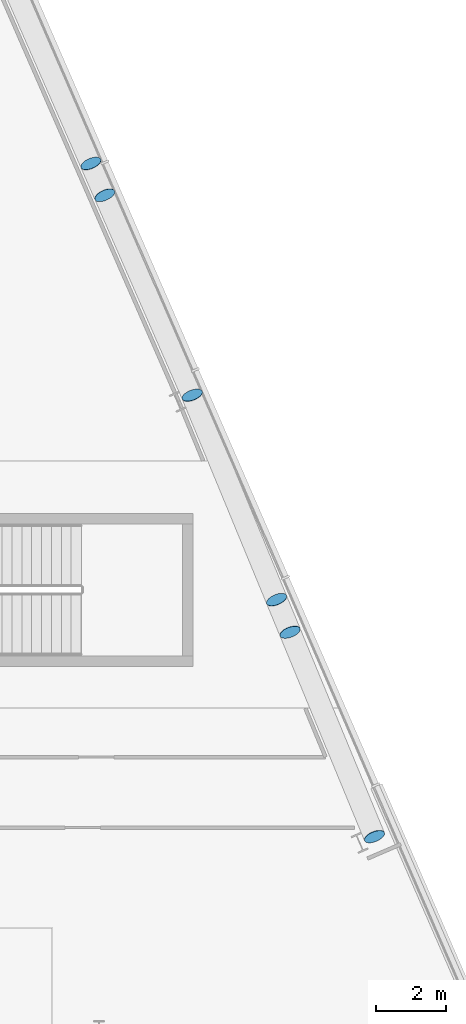
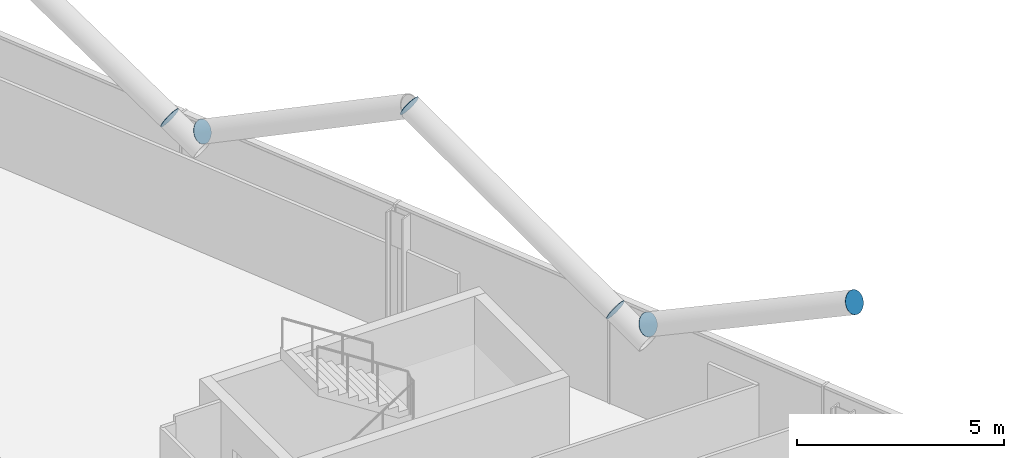
# One storey, part 23 of 27: 6 discrete accessories.
"""IFC4 building model written with IfcOpenShell, lengths in metres."""

import ifcopenshell
import ifcopenshell.guid

model = None  # the IFC model being written
_history = None  # IfcOwnerHistory: only IFC2X3 demands one
_inside = {}  # id of a spatial element -> (the spatial element, [elements in it])
_under = {}  # id of a project, library or spatial element -> (it, [spatial elements below it])
_declared = {}  # id of a project -> (the project, [libraries it declares])
_typed = {}  # id of a type object -> (the type object, [elements of that type])
_made_of = {}  # id of a material, layer set ... -> (it, [elements and type objects made of it])


def new_model(schema):
    """Start an empty IFC model of exactly this schema.

    Asked for "IFC4X3", IfcOpenShell would pick the latest addendum, in which some entities
    have other attributes; the version numbers below select the first issue.
    IFC2X3 requires an IfcOwnerHistory on every rooted entity: one is made here for all.
    """
    global model, _history
    if schema == "IFC4X3":
        model = ifcopenshell.file(schema_version=(4, 3, 0, 0))
    else:
        model = ifcopenshell.file(schema=schema)
    _inside.clear()
    _under.clear()
    _declared.clear()
    _typed.clear()
    _made_of.clear()
    _history = None
    if model.schema == "IFC2X3":
        org = make("IfcOrganization", Name="unknown")
        user = make(
            "IfcPersonAndOrganization",
            ThePerson=make("IfcPerson", FamilyName="unknown"),
            TheOrganization=org,
        )
        app = make(
            "IfcApplication",
            ApplicationDeveloper=org,
            Version="unknown",
            ApplicationFullName="unknown",
            ApplicationIdentifier="unknown",
        )
        _history = make(
            "IfcOwnerHistory",
            OwningUser=user,
            OwningApplication=app,
            ChangeAction="ADDED",
            CreationDate=0,
        )
    return model


def make(cls, **values):
    """One entity of the class cls with the attributes given. An attribute that is None is left unset."""
    return model.create_entity(
        cls, **{name: value for name, value in values.items() if value is not None}
    )


def rooted(cls, **values):
    """An entity with a GlobalId (a new one), such as an element, a storey or a relation."""
    return make(cls, GlobalId=ifcopenshell.guid.new(), OwnerHistory=_history, **values)


def si_unit(unit_type, name, prefix=None):
    """IfcSIUnit, for example si_unit("LENGTHUNIT", "METRE", prefix="MILLI")."""
    return make("IfcSIUnit", UnitType=unit_type, Prefix=prefix, Name=name)


def assignment(units):
    """IfcUnitAssignment: the units of a project."""
    return None if units is None else make("IfcUnitAssignment", Units=units)


def point(xyz):
    """IfcCartesianPoint."""
    return None if xyz is None else make("IfcCartesianPoint", Coordinates=xyz)


def direction(xyz):
    """IfcDirection."""
    return None if xyz is None else make("IfcDirection", DirectionRatios=xyz)


def frame(location, z_axis=None, x_axis=None):
    """IfcAxis2Placement3D, a coordinate frame: its origin and axes. An axis left out is left unset."""
    return make(
        "IfcAxis2Placement3D",
        Location=point(location),
        Axis=direction(z_axis),
        RefDirection=direction(x_axis),
    )


def frame_2d(location, x_axis=None):
    """IfcAxis2Placement2D, a coordinate frame in the plane: its origin and x axis."""
    return make(
        "IfcAxis2Placement2D", Location=point(location), RefDirection=direction(x_axis)
    )


def origin():
    """The frame at (0, 0, 0) with its axes left unset."""
    return frame((0.0, 0.0, 0.0))


def origin_2d():
    """The frame at (0, 0) in the plane with its x axis left unset."""
    return frame_2d((0.0, 0.0))


def place(relative_to, where):
    """IfcLocalPlacement: puts the frame where relative to a parent placement (None: the world)."""
    return make(
        "IfcLocalPlacement", PlacementRelTo=relative_to, RelativePlacement=where
    )


def context(
    kind, dimensions, precision=None, world=None, true_north=None, identifier=None
):
    """IfcGeometricRepresentationContext, for example the 3D "Model" context."""
    return make(
        "IfcGeometricRepresentationContext",
        ContextIdentifier=identifier,
        ContextType=kind,
        CoordinateSpaceDimension=dimensions,
        Precision=precision,
        WorldCoordinateSystem=world,
        TrueNorth=true_north,
    )


def subcontext(parent, identifier, kind, view, scale=None):
    """IfcGeometricRepresentationSubContext, for example "Body" below "Model"."""
    return make(
        "IfcGeometricRepresentationSubContext",
        ContextIdentifier=identifier,
        ContextType=kind,
        ParentContext=parent,
        TargetScale=scale,
        TargetView=view,
    )


def project(units=None, contexts=None):
    """IfcProject with its units and contexts."""
    return rooted(
        "IfcProject",
        Name="project",
        RepresentationContexts=contexts,
        UnitsInContext=assignment(units),
    )


def spatial(cls, under=None, at=None, **own):
    """A site, building, storey or space (cls), placed at a placement, below another one or the project."""
    s = rooted(cls, ObjectPlacement=at, **own)
    if under is not None:
        _under.setdefault(under.id(), (under, []))[1].append(s)
    return s


def profile(cls, at=None, kind="AREA", **sizes):
    """A parametric profile (cls). Its sizes go by their IFC names, for example OverallWidth=200.0."""
    return make(cls, ProfileType=kind, Position=at, **sizes)


def circle(**sizes):
    """IfcCircleProfileDef."""
    return profile("IfcCircleProfileDef", **sizes)


def extrude(swept, where, along, depth):
    """IfcExtrudedAreaSolid: the profile swept, set in the frame where, extruded along a direction by depth."""
    return make(
        "IfcExtrudedAreaSolid",
        SweptArea=swept,
        Position=where,
        ExtrudedDirection=direction(along),
        Depth=depth,
    )


def shape(context_of_items, identifier, shape_type, items):
    """IfcShapeRepresentation: the items that make up one representation, for example the "Body"."""
    return make(
        "IfcShapeRepresentation",
        ContextOfItems=context_of_items,
        RepresentationIdentifier=identifier,
        RepresentationType=shape_type,
        Items=items,
    )


def material(Name=None, Category=None):
    """IfcMaterial."""
    return make("IfcMaterial", Name=Name, Category=Category)


def material_profile(
    of_material, cross_section, Name=None, Category=None, Priority=None
):
    """IfcMaterialProfile: a cross section and its material."""
    return make(
        "IfcMaterialProfile",
        Name=Name,
        Material=of_material,
        Profile=cross_section,
        Priority=Priority,
        Category=Category,
    )


def profile_set(profiles, Name=None, composite=None):
    """IfcMaterialProfileSet."""
    return make(
        "IfcMaterialProfileSet",
        Name=Name,
        MaterialProfiles=profiles,
        CompositeProfile=composite,
    )


def made_of(thing, what):
    """Note that an element or type object is made of a material, layer set ...; save() writes the relation."""
    if what is not None:
        _made_of.setdefault(what.id(), (what, []))[1].append(thing)
    return thing


def type_object(cls, material=None, **own):
    """A type object (cls), such as IfcWallType, which elements share."""
    return made_of(rooted(cls, **own), material)


def element(
    cls,
    number,
    at=None,
    inside=None,
    cuts=None,
    type_object=None,
    material=None,
    context=None,
    identifier="Body",
    shape_type=None,
    held_by="IfcProductDefinitionShape",
    body=None,
    shapes=None,
    **own,
):
    """One element of the class cls, such as IfcWall. Its Tag is "e" and its number.

    at: its placement. inside: the storey or other place that contains it. cuts: it is an
    opening in that element (IfcRelVoidsElement). A single representation is given by context,
    identifier, shape_type and body (its items); several are given by shapes. held_by: the class
    of the entity that holds the representations. save() writes the other relations.
    """
    e = rooted(cls, Tag="e%d" % number, ObjectPlacement=at, **own)
    if body is not None:
        shapes = [shape(context, identifier, shape_type, body)]
    if shapes is not None:
        e.Representation = make(held_by, Representations=shapes)
    if inside is not None:
        _inside.setdefault(inside.id(), (inside, []))[1].append(e)
    if cuts is not None:
        rooted(
            "IfcRelVoidsElement", RelatingBuildingElement=cuts, RelatedOpeningElement=e
        )
    if type_object is not None:
        _typed.setdefault(type_object.id(), (type_object, []))[1].append(e)
    return made_of(e, material)


def aggregate(whole, parts):
    """IfcRelAggregates: a whole, such as a stair, and the parts it consists of."""
    return rooted("IfcRelAggregates", RelatingObject=whole, RelatedObjects=parts)


def save(model, path):
    """Write the relations noted so far, then the file.

    IfcRelAggregates (storeys below a building ...), IfcRelContainedInSpatialStructure (elements
    in a storey), IfcRelDefinesByType, IfcRelAssociatesMaterial and IfcRelDeclares: one each for
    every whole, place, type object, material and project.
    """
    for whole, parts in _under.values():
        aggregate(whole, parts)
    for where, things in _inside.values():
        rooted(
            "IfcRelContainedInSpatialStructure",
            RelatedElements=things,
            RelatingStructure=where,
        )
    for kind, things in _typed.values():
        rooted("IfcRelDefinesByType", RelatedObjects=things, RelatingType=kind)
    for what, things in _made_of.values():
        rooted("IfcRelAssociatesMaterial", RelatedObjects=things, RelatingMaterial=what)
    for by, libraries in _declared.values():
        rooted("IfcRelDeclares", RelatingContext=by, RelatedDefinitions=libraries)
    model.write(path)


model = new_model("IFC4")

# Units and contexts
model_context = context("Model", 3, precision=1e-05, world=origin(), true_north=direction((0.0, 1.0)))
body_context = subcontext(model_context, "Body", "Model", "MODEL_VIEW")
ifc_project = project(units=[si_unit("LENGTHUNIT", "METRE"), si_unit("AREAUNIT", "SQUARE_METRE"), si_unit("VOLUMEUNIT", "CUBIC_METRE"), si_unit("PLANEANGLEUNIT", "RADIAN"), si_unit("MASSUNIT", "GRAM", prefix="KILO")], contexts=[model_context])

# Site, building, storey
site_placement = place(None, origin())
site = spatial("IfcSite", under=ifc_project, at=site_placement, CompositionType="ELEMENT")
building_placement = place(site_placement, origin())
building = spatial("IfcBuilding", under=site, at=building_placement, Name="Wharfspan Tower", CompositionType="ELEMENT")
storey_placement = place(building_placement, frame((0.0, 0.0, 207.100098)))
storey = spatial("IfcBuildingStorey", under=building, at=storey_placement, Name="L51", CompositionType="ELEMENT", Elevation=207.100098)

# Discrete accessories
ifc_material = material(Name="Steel S460NH", Category="steel")
ifc_material_profile = material_profile(ifc_material, circle(Radius=0.304932, at=origin_2d()))
ifc_profile_set = profile_set([ifc_material_profile], Name="Steel S460NH")
discrete_accessory_type = type_object("IfcDiscreteAccessoryType", Name="End plate CHS 610x25", PredefinedType="BRACKET", material=ifc_profile_set)
for number, where, z_axis, x_axis, name in (
    (1, (77.051025, 23.666992, 3.162598), (-0.345075, 0.81339, 0.468316), (-0.920586, -0.390551, -2e-06), "End plate CHS 610x25"),
    (2, (74.652588, 29.476318, 6.5), (-0.316603, 0.828038, 0.462727), (-0.934054, -0.357138, -1e-06), "End plate CHS 610x25"),
    (3, (77.428711, 22.752441, 3.162598), (0.316603, -0.828038, 0.462727), (0.934054, 0.357138, -1e-06), "End plate CHS 610x25"),
    (4, (79.826904, 16.943115, 6.5), (0.338259, -0.821486, 0.459066), (0.924676, 0.380749, 0.0), "End plate CHS 610x25"),
    (5, (71.773193, 36.061523, 3.161865), (-0.345075, 0.81339, 0.468316), (-0.920586, -0.390551, -2e-06), "End plate CHS 610x25"),
    (6, (72.163818, 35.168213, 3.161865), (0.366508, -0.806318, 0.464244), (0.910368, 0.413804, 1e-06), "End plate CHS 610x25"),
):
    element("IfcDiscreteAccessory", number, at=place(storey_placement, frame(where, z_axis=z_axis, x_axis=x_axis)), inside=storey, type_object=discrete_accessory_type, Name=name, PredefinedType="BRACKET", context=body_context, shape_type="SweptSolid", body=[
        extrude(circle(Radius=0.304932, at=origin_2d()), origin(), (0.0, 0.0, 1.0), 0.01001),
    ])

save(model, "model.ifc")
